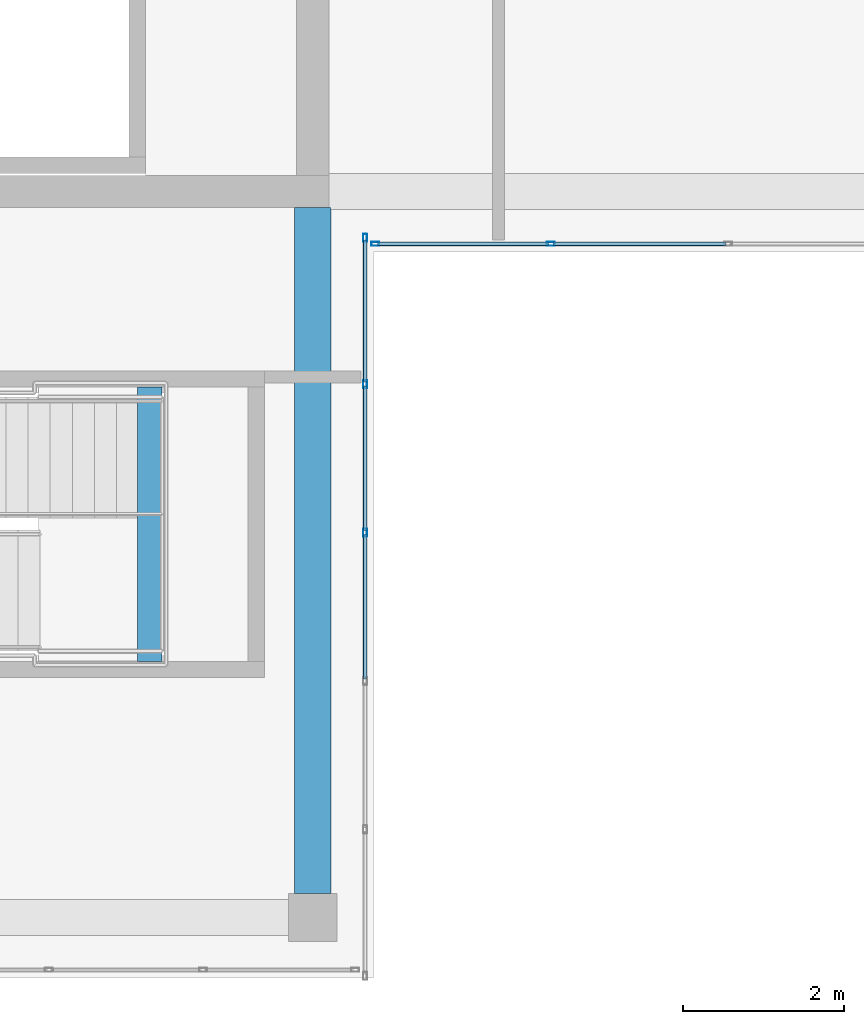
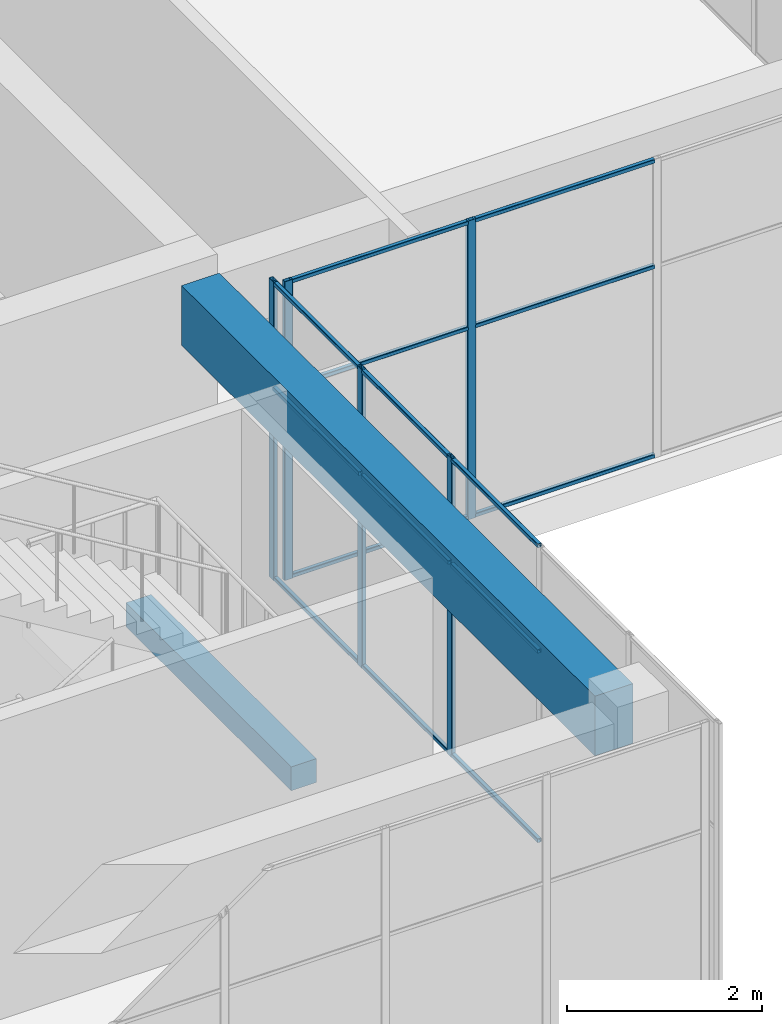
# One storey, part 12 of 32: 20 members, 2 beams, 2 elements without a shape of their own.
"""IFC4 building model written with IfcOpenShell, lengths in metres."""

from ifc_helpers import new_model, si_unit, direction, frame, origin, origin_2d, place, context, subcontext, project, spatial, rectangle, hollow_rectangle, extrude, material, layer, layer_set, material_profile, profile_set, type_object, element, aggregate, save


model = new_model("IFC4")

# Units and contexts
model_context = context("Model", 3, precision=1e-05, world=origin(), true_north=direction((0.0, 1.0)))
body_context = subcontext(model_context, "Body", "Model", "MODEL_VIEW")
ifc_project = project(units=[si_unit("LENGTHUNIT", "METRE"), si_unit("AREAUNIT", "SQUARE_METRE"), si_unit("VOLUMEUNIT", "CUBIC_METRE"), si_unit("PLANEANGLEUNIT", "RADIAN"), si_unit("MASSUNIT", "GRAM", prefix="KILO")], contexts=[model_context])

# Site, building, storey
site_placement = place(None, origin())
site = spatial("IfcSite", under=ifc_project, at=site_placement, CompositionType="ELEMENT")
building_placement = place(site_placement, origin())
building = spatial("IfcBuilding", under=site, at=building_placement, Name="Tuart Plaza Theatre", CompositionType="ELEMENT")
storey_placement = place(building_placement, frame((0.0, 0.0, 41.5)))
storey = spatial("IfcBuildingStorey", under=building, at=storey_placement, Name="L10", CompositionType="ELEMENT", Elevation=41.5)

# Beams
ifc_material_1 = material(Name="Concrete N40 (40 MPa)", Category="concrete")
ifc_material_profile_1 = material_profile(ifc_material_1, rectangle(XDim=0.300048828125, YDim=0.300048828125, at=origin_2d()), Name="BEAM 300x300 Concrete N40 (40 MPa)")
ifc_profile_set_1 = profile_set([ifc_material_profile_1], Name="Concrete N40 (40 MPa)")
beam_type_1 = type_object("IfcBeamType", Name="BEAM 300x300 Concrete N40 (40 MPa)", PredefinedType="BEAM", material=ifc_profile_set_1)
beam_1_placement = place(storey_placement, frame((138.97998046875, 59.175048828125, 1.64990234375), z_axis=(0.0, 1.0, 0.0), x_axis=(-1.0, 0.0, 0.0)))
element("IfcBeam", 1, at=beam_1_placement, inside=storey, type_object=beam_type_1, Name="RB506", PredefinedType="BEAM", context=body_context, shape_type="SweptSolid", body=[
    extrude(rectangle(XDim=0.300048828125, YDim=0.300048828125, at=origin_2d()), origin(), (0.0, 0.0, 1.0), 3.39990234375),
])
ifc_material_2 = material(Name="Concrete N40 (40 MPa)", Category="concrete")
ifc_material_profile_2 = material_profile(ifc_material_2, rectangle(XDim=0.449951171875, YDim=0.75, at=origin_2d()), Name="BEAM 450x750 Concrete N40 (40 MPa)")
ifc_profile_set_2 = profile_set([ifc_material_profile_2], Name="Concrete N40 (40 MPa)")
beam_type_2 = type_object("IfcBeamType", Name="BEAM 450x750 Concrete N40 (40 MPa)", PredefinedType="BEAM", material=ifc_profile_set_2)
beam_2_placement = place(storey_placement, frame((141.0, 56.300048828125, 3.375), z_axis=(0.0, 1.0, 0.0), x_axis=(-1.0, 0.0, 0.0)))
element("IfcBeam", 2, at=beam_2_placement, inside=storey, type_object=beam_type_2, Name="RB304", PredefinedType="BEAM", context=body_context, shape_type="SweptSolid", body=[
    extrude(rectangle(XDim=0.449951171875, YDim=0.75, at=origin_2d()), origin(), (0.0, 0.0, 1.0), 8.5),
])

# Curtain wall, members
ifc_material_3 = material(Name="Aluminium and glass", Category="aluminium")
ifc_layer = layer(ifc_material_3, 0.10009765625)
ifc_layer_set = layer_set([ifc_layer], Name="CURTAIN WALL 2000 module")
curtain_wall_type = type_object("IfcCurtainWallType", Name="CURTAIN WALL 2000 module", PredefinedType="NOTDEFINED", material=ifc_layer_set)
curtain_wall_1_placement = place(storey_placement, origin())
curtain_wall_1 = element("IfcCurtainWall", 3, at=curtain_wall_1_placement, inside=storey, type_object=curtain_wall_type, Name="CW100", PredefinedType="NOTDEFINED")
ifc_material_4 = material(Name="Aluminium 6063-T5", Category="aluminium")
ifc_material_profile_3 = material_profile(ifc_material_4, hollow_rectangle(XDim=0.050048828125, YDim=0.10009765625, WallThickness=0.00390625, InnerFilletRadius=0.00390625, OuterFilletRadius=0.008056640625, at=origin_2d()), Name="RHS 100x50x4")
ifc_profile_set_3 = profile_set([ifc_material_profile_3], Name="Aluminium 6063-T5")
member_type_1 = type_object("IfcMemberType", Name="MULLION RHS 100x50x4", PredefinedType="MULLION", material=ifc_profile_set_3)
member_1_placement = place(storey_placement, frame((141.64990234375, 60.77001953125, 0.0), z_axis=(0.0, 0.0, 1.0), x_axis=(-1.0, 0.0, 0.0)))
member_1 = element("IfcMember", 4, at=member_1_placement, type_object=member_type_1, Name="CW100 mullion 4", PredefinedType="MULLION", context=body_context, shape_type="SweptSolid", body=[
    extrude(hollow_rectangle(XDim=0.050048828125, YDim=0.10009765625, WallThickness=0.00390625, InnerFilletRadius=0.00390625, OuterFilletRadius=0.008056640625, at=origin_2d()), origin(), (0.0, 0.0, 1.0), 3.75),
])
member_2_placement = place(storey_placement, frame((141.64990234375, 62.610107421875, 0.0), z_axis=(0.0, 0.0, 1.0), x_axis=(-1.0, 0.0, 0.0)))
member_2 = element("IfcMember", 5, at=member_2_placement, type_object=member_type_1, Name="CW100 mullion 5", PredefinedType="MULLION", context=body_context, shape_type="SweptSolid", body=[
    extrude(hollow_rectangle(XDim=0.050048828125, YDim=0.10009765625, WallThickness=0.00390625, InnerFilletRadius=0.00390625, OuterFilletRadius=0.008056640625, at=origin_2d()), origin(), (0.0, 0.0, 1.0), 3.75),
])
member_3_placement = place(storey_placement, frame((141.64990234375, 64.425048828125, 0.0), z_axis=(0.0, 0.0, 1.0), x_axis=(-1.0, 0.0, 0.0)))
member_3 = element("IfcMember", 6, at=member_3_placement, type_object=member_type_1, Name="CW100 mullion 6", PredefinedType="MULLION", context=body_context, shape_type="SweptSolid", body=[
    extrude(hollow_rectangle(XDim=0.050048828125, YDim=0.10009765625, WallThickness=0.00390625, InnerFilletRadius=0.00390625, OuterFilletRadius=0.008056640625, at=origin_2d()), origin(), (0.0, 0.0, 1.0), 3.75),
])

curtain_wall_2_placement = place(storey_placement, origin())
curtain_wall_2 = element("IfcCurtainWall", 7, at=curtain_wall_2_placement, inside=storey, type_object=curtain_wall_type, Name="CW101", PredefinedType="NOTDEFINED")
member_4_placement = place(storey_placement, frame((141.77490234375, 64.35009765625, 0.0), z_axis=(0.0, 0.0, 1.0), x_axis=(0.0, 1.0, 0.0)))
member_4 = element("IfcMember", 8, at=member_4_placement, type_object=member_type_1, Name="CW101 mullion 1", PredefinedType="MULLION", context=body_context, shape_type="SweptSolid", body=[
    extrude(hollow_rectangle(XDim=0.050048828125, YDim=0.10009765625, WallThickness=0.00390625, InnerFilletRadius=0.00390625, OuterFilletRadius=0.008056640625, at=origin_2d()), origin(), (0.0, 0.0, 1.0), 3.75),
])
member_5_placement = place(storey_placement, frame((143.949951171875, 64.35009765625, 0.0), z_axis=(0.0, 0.0, 1.0), x_axis=(0.0, 1.0, 0.0)))
member_5 = element("IfcMember", 9, at=member_5_placement, type_object=member_type_1, Name="CW101 mullion 2", PredefinedType="MULLION", context=body_context, shape_type="SweptSolid", body=[
    extrude(hollow_rectangle(XDim=0.050048828125, YDim=0.10009765625, WallThickness=0.00390625, InnerFilletRadius=0.00390625, OuterFilletRadius=0.008056640625, at=origin_2d()), origin(), (0.0, 0.0, 1.0), 3.75),
])

# Member
ifc_material_5 = material(Name="Aluminium 6063-T5", Category="aluminium")
ifc_material_profile_4 = material_profile(ifc_material_5, hollow_rectangle(XDim=0.050048828125, YDim=0.050048828125, WallThickness=0.00390625, InnerFilletRadius=0.00390625, OuterFilletRadius=0.008056640625, at=origin_2d()), Name="RHS 50x50x4")
ifc_profile_set_4 = profile_set([ifc_material_profile_4], Name="Aluminium 6063-T5")
member_type_2 = type_object("IfcMemberType", Name="TRANSOM RHS 50x50x4", PredefinedType="USERDEFINED", material=ifc_profile_set_4)
member_6_placement = place(storey_placement, frame((141.64990234375, 58.955078125, 0.02490234375), z_axis=(0.0, 1.0, 0.0), x_axis=(-1.0, 0.0, 0.0)))
member_6 = element("IfcMember", 10, at=member_6_placement, type_object=member_type_2, Name="CW100 transom 3.1", ObjectType="TRANSOM", PredefinedType="USERDEFINED", context=body_context, shape_type="SweptSolid", body=[
    extrude(hollow_rectangle(XDim=0.050048828125, YDim=0.050048828125, WallThickness=0.00390625, InnerFilletRadius=0.00390625, OuterFilletRadius=0.008056640625, at=origin_2d()), origin(), (0.0, 0.0, 1.0), 1.7900390625),
])

member_7_placement = place(storey_placement, frame((141.64990234375, 58.955078125, 2.39990234375), z_axis=(0.0, 1.0, 0.0), x_axis=(-1.0, 0.0, 0.0)))
member_7 = element("IfcMember", 11, at=member_7_placement, type_object=member_type_2, Name="CW100 transom 3.2", ObjectType="TRANSOM", PredefinedType="USERDEFINED", context=body_context, shape_type="SweptSolid", body=[
    extrude(hollow_rectangle(XDim=0.050048828125, YDim=0.050048828125, WallThickness=0.00390625, InnerFilletRadius=0.00390625, OuterFilletRadius=0.008056640625, at=origin_2d()), origin(), (0.0, 0.0, 1.0), 1.7900390625),
])

member_8_placement = place(storey_placement, frame((141.64990234375, 58.955078125, 3.72509765625), z_axis=(0.0, 1.0, 0.0), x_axis=(-1.0, 0.0, 0.0)))
member_8 = element("IfcMember", 12, at=member_8_placement, type_object=member_type_2, Name="CW100 transom 3.3", ObjectType="TRANSOM", PredefinedType="USERDEFINED", context=body_context, shape_type="SweptSolid", body=[
    extrude(hollow_rectangle(XDim=0.050048828125, YDim=0.050048828125, WallThickness=0.00390625, InnerFilletRadius=0.00390625, OuterFilletRadius=0.008056640625, at=origin_2d()), origin(), (0.0, 0.0, 1.0), 1.7900390625),
])

member_9_placement = place(storey_placement, frame((141.64990234375, 60.794921875, 0.02490234375), z_axis=(0.0, 1.0, 0.0), x_axis=(-1.0, 0.0, 0.0)))
member_9 = element("IfcMember", 13, at=member_9_placement, type_object=member_type_2, Name="CW100 transom 4.1", ObjectType="TRANSOM", PredefinedType="USERDEFINED", context=body_context, shape_type="SweptSolid", body=[
    extrude(hollow_rectangle(XDim=0.050048828125, YDim=0.050048828125, WallThickness=0.00390625, InnerFilletRadius=0.00390625, OuterFilletRadius=0.008056640625, at=origin_2d()), origin(), (0.0, 0.0, 1.0), 1.7900390625),
])

member_10_placement = place(storey_placement, frame((141.64990234375, 60.794921875, 2.39990234375), z_axis=(0.0, 1.0, 0.0), x_axis=(-1.0, 0.0, 0.0)))
member_10 = element("IfcMember", 14, at=member_10_placement, type_object=member_type_2, Name="CW100 transom 4.2", ObjectType="TRANSOM", PredefinedType="USERDEFINED", context=body_context, shape_type="SweptSolid", body=[
    extrude(hollow_rectangle(XDim=0.050048828125, YDim=0.050048828125, WallThickness=0.00390625, InnerFilletRadius=0.00390625, OuterFilletRadius=0.008056640625, at=origin_2d()), origin(), (0.0, 0.0, 1.0), 1.7900390625),
])

member_11_placement = place(storey_placement, frame((141.64990234375, 60.794921875, 3.72509765625), z_axis=(0.0, 1.0, 0.0), x_axis=(-1.0, 0.0, 0.0)))
member_11 = element("IfcMember", 15, at=member_11_placement, type_object=member_type_2, Name="CW100 transom 4.3", ObjectType="TRANSOM", PredefinedType="USERDEFINED", context=body_context, shape_type="SweptSolid", body=[
    extrude(hollow_rectangle(XDim=0.050048828125, YDim=0.050048828125, WallThickness=0.00390625, InnerFilletRadius=0.00390625, OuterFilletRadius=0.008056640625, at=origin_2d()), origin(), (0.0, 0.0, 1.0), 1.7900390625),
])

member_12_placement = place(storey_placement, frame((141.64990234375, 62.635009765625, 0.02490234375), z_axis=(0.0, 1.0, 0.0), x_axis=(-1.0, 0.0, 0.0)))
member_12 = element("IfcMember", 16, at=member_12_placement, type_object=member_type_2, Name="CW100 transom 5.1", ObjectType="TRANSOM", PredefinedType="USERDEFINED", context=body_context, shape_type="SweptSolid", body=[
    extrude(hollow_rectangle(XDim=0.050048828125, YDim=0.050048828125, WallThickness=0.00390625, InnerFilletRadius=0.00390625, OuterFilletRadius=0.008056640625, at=origin_2d()), origin(), (0.0, 0.0, 1.0), 1.764892578125),
])

member_13_placement = place(storey_placement, frame((141.64990234375, 62.635009765625, 2.39990234375), z_axis=(0.0, 1.0, 0.0), x_axis=(-1.0, 0.0, 0.0)))
member_13 = element("IfcMember", 17, at=member_13_placement, type_object=member_type_2, Name="CW100 transom 5.2", ObjectType="TRANSOM", PredefinedType="USERDEFINED", context=body_context, shape_type="SweptSolid", body=[
    extrude(hollow_rectangle(XDim=0.050048828125, YDim=0.050048828125, WallThickness=0.00390625, InnerFilletRadius=0.00390625, OuterFilletRadius=0.008056640625, at=origin_2d()), origin(), (0.0, 0.0, 1.0), 1.764892578125),
])

member_14_placement = place(storey_placement, frame((141.64990234375, 62.635009765625, 3.72509765625), z_axis=(0.0, 1.0, 0.0), x_axis=(-1.0, 0.0, 0.0)))
member_14 = element("IfcMember", 18, at=member_14_placement, type_object=member_type_2, Name="CW100 transom 5.3", ObjectType="TRANSOM", PredefinedType="USERDEFINED", context=body_context, shape_type="SweptSolid", body=[
    extrude(hollow_rectangle(XDim=0.050048828125, YDim=0.050048828125, WallThickness=0.00390625, InnerFilletRadius=0.00390625, OuterFilletRadius=0.008056640625, at=origin_2d()), origin(), (0.0, 0.0, 1.0), 1.764892578125),
])

aggregate(curtain_wall_1, [member_1, member_2, member_3, member_6, member_7, member_8, member_9, member_10, member_11, member_12, member_13, member_14])

member_15_placement = place(storey_placement, frame((141.800048828125, 64.35009765625, 0.02490234375), z_axis=(1.0, 0.0, 0.0), x_axis=(0.0, 1.0, 0.0)))
member_15 = element("IfcMember", 19, at=member_15_placement, type_object=member_type_2, Name="CW101 transom 1.1", ObjectType="TRANSOM", PredefinedType="USERDEFINED", context=body_context, shape_type="SweptSolid", body=[
    extrude(hollow_rectangle(XDim=0.050048828125, YDim=0.050048828125, WallThickness=0.00390625, InnerFilletRadius=0.00390625, OuterFilletRadius=0.008056640625, at=origin_2d()), origin(), (0.0, 0.0, 1.0), 2.125),
])

member_16_placement = place(storey_placement, frame((141.800048828125, 64.35009765625, 2.39990234375), z_axis=(1.0, 0.0, 0.0), x_axis=(0.0, 1.0, 0.0)))
member_16 = element("IfcMember", 20, at=member_16_placement, type_object=member_type_2, Name="CW101 transom 1.2", ObjectType="TRANSOM", PredefinedType="USERDEFINED", context=body_context, shape_type="SweptSolid", body=[
    extrude(hollow_rectangle(XDim=0.050048828125, YDim=0.050048828125, WallThickness=0.00390625, InnerFilletRadius=0.00390625, OuterFilletRadius=0.008056640625, at=origin_2d()), origin(), (0.0, 0.0, 1.0), 2.125),
])

member_17_placement = place(storey_placement, frame((141.800048828125, 64.35009765625, 3.72509765625), z_axis=(1.0, 0.0, 0.0), x_axis=(0.0, 1.0, 0.0)))
member_17 = element("IfcMember", 21, at=member_17_placement, type_object=member_type_2, Name="CW101 transom 1.3", ObjectType="TRANSOM", PredefinedType="USERDEFINED", context=body_context, shape_type="SweptSolid", body=[
    extrude(hollow_rectangle(XDim=0.050048828125, YDim=0.050048828125, WallThickness=0.00390625, InnerFilletRadius=0.00390625, OuterFilletRadius=0.008056640625, at=origin_2d()), origin(), (0.0, 0.0, 1.0), 2.125),
])

member_18_placement = place(storey_placement, frame((143.97509765625, 64.35009765625, 0.02490234375), z_axis=(1.0, 0.0, 0.0), x_axis=(0.0, 1.0, 0.0)))
member_18 = element("IfcMember", 22, at=member_18_placement, type_object=member_type_2, Name="CW101 transom 2.1", ObjectType="TRANSOM", PredefinedType="USERDEFINED", context=body_context, shape_type="SweptSolid", body=[
    extrude(hollow_rectangle(XDim=0.050048828125, YDim=0.050048828125, WallThickness=0.00390625, InnerFilletRadius=0.00390625, OuterFilletRadius=0.008056640625, at=origin_2d()), origin(), (0.0, 0.0, 1.0), 2.14990234375),
])

member_19_placement = place(storey_placement, frame((143.97509765625, 64.35009765625, 2.39990234375), z_axis=(1.0, 0.0, 0.0), x_axis=(0.0, 1.0, 0.0)))
member_19 = element("IfcMember", 23, at=member_19_placement, type_object=member_type_2, Name="CW101 transom 2.2", ObjectType="TRANSOM", PredefinedType="USERDEFINED", context=body_context, shape_type="SweptSolid", body=[
    extrude(hollow_rectangle(XDim=0.050048828125, YDim=0.050048828125, WallThickness=0.00390625, InnerFilletRadius=0.00390625, OuterFilletRadius=0.008056640625, at=origin_2d()), origin(), (0.0, 0.0, 1.0), 2.14990234375),
])

member_20_placement = place(storey_placement, frame((143.97509765625, 64.35009765625, 3.72509765625), z_axis=(1.0, 0.0, 0.0), x_axis=(0.0, 1.0, 0.0)))
member_20 = element("IfcMember", 24, at=member_20_placement, type_object=member_type_2, Name="CW101 transom 2.3", ObjectType="TRANSOM", PredefinedType="USERDEFINED", context=body_context, shape_type="SweptSolid", body=[
    extrude(hollow_rectangle(XDim=0.050048828125, YDim=0.050048828125, WallThickness=0.00390625, InnerFilletRadius=0.00390625, OuterFilletRadius=0.008056640625, at=origin_2d()), origin(), (0.0, 0.0, 1.0), 2.14990234375),
])

aggregate(curtain_wall_2, [member_4, member_5, member_15, member_16, member_17, member_18, member_19, member_20])

save(model, "model.ifc")
